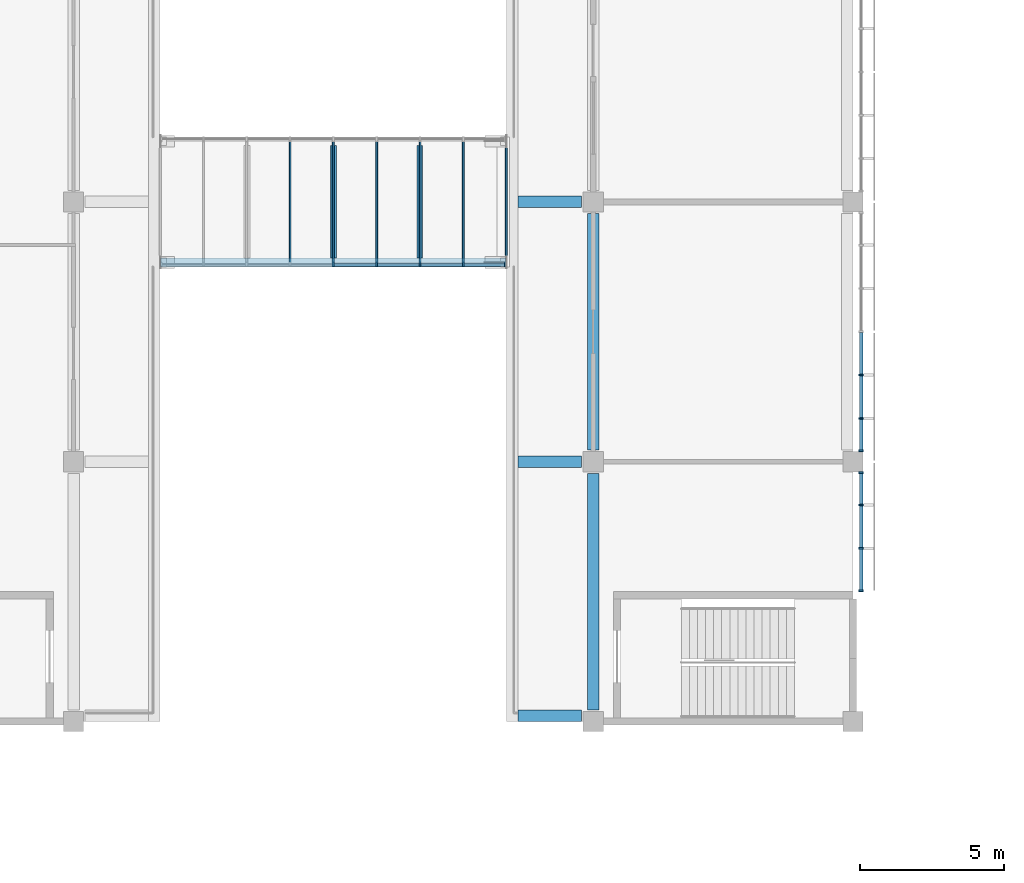
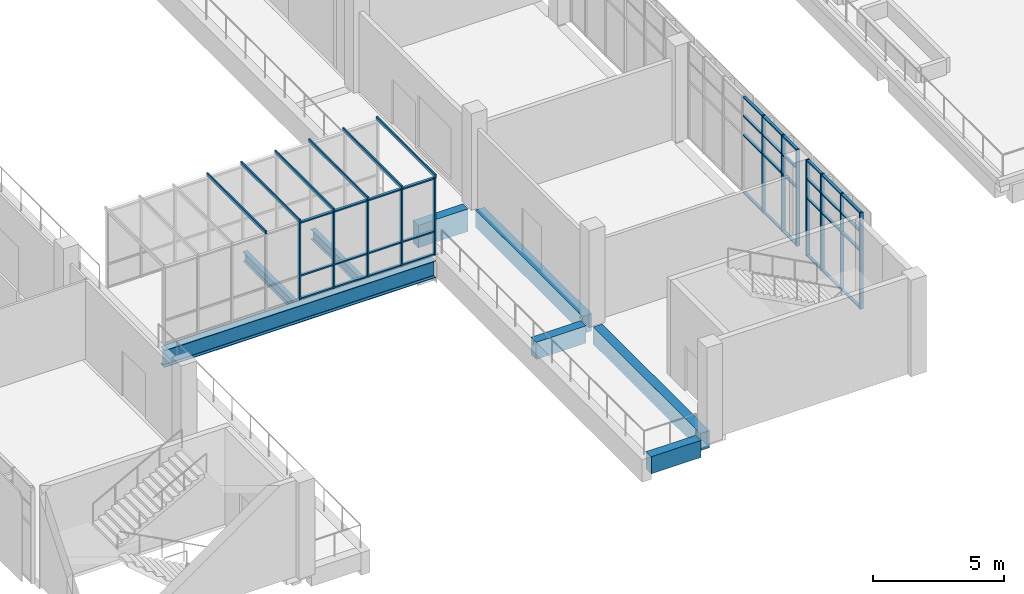
# One storey, part 11 of 106: 54 members, 8 beams, 4 elements without a shape of their own.
"""IFC4 building model written with IfcOpenShell, lengths in metres."""

import ifcopenshell
import ifcopenshell.guid

model = None  # the IFC model being written
_history = None  # IfcOwnerHistory: only IFC2X3 demands one
_inside = {}  # id of a spatial element -> (the spatial element, [elements in it])
_under = {}  # id of a project, library or spatial element -> (it, [spatial elements below it])
_declared = {}  # id of a project -> (the project, [libraries it declares])
_typed = {}  # id of a type object -> (the type object, [elements of that type])
_made_of = {}  # id of a material, layer set ... -> (it, [elements and type objects made of it])


def new_model(schema):
    """Start an empty IFC model of exactly this schema.

    Asked for "IFC4X3", IfcOpenShell would pick the latest addendum, in which some entities
    have other attributes; the version numbers below select the first issue.
    IFC2X3 requires an IfcOwnerHistory on every rooted entity: one is made here for all.
    """
    global model, _history
    if schema == "IFC4X3":
        model = ifcopenshell.file(schema_version=(4, 3, 0, 0))
    else:
        model = ifcopenshell.file(schema=schema)
    _inside.clear()
    _under.clear()
    _declared.clear()
    _typed.clear()
    _made_of.clear()
    _history = None
    if model.schema == "IFC2X3":
        org = make("IfcOrganization", Name="unknown")
        user = make(
            "IfcPersonAndOrganization",
            ThePerson=make("IfcPerson", FamilyName="unknown"),
            TheOrganization=org,
        )
        app = make(
            "IfcApplication",
            ApplicationDeveloper=org,
            Version="unknown",
            ApplicationFullName="unknown",
            ApplicationIdentifier="unknown",
        )
        _history = make(
            "IfcOwnerHistory",
            OwningUser=user,
            OwningApplication=app,
            ChangeAction="ADDED",
            CreationDate=0,
        )
    return model


def make(cls, **values):
    """One entity of the class cls with the attributes given. An attribute that is None is left unset."""
    return model.create_entity(
        cls, **{name: value for name, value in values.items() if value is not None}
    )


def rooted(cls, **values):
    """An entity with a GlobalId (a new one), such as an element, a storey or a relation."""
    return make(cls, GlobalId=ifcopenshell.guid.new(), OwnerHistory=_history, **values)


def si_unit(unit_type, name, prefix=None):
    """IfcSIUnit, for example si_unit("LENGTHUNIT", "METRE", prefix="MILLI")."""
    return make("IfcSIUnit", UnitType=unit_type, Prefix=prefix, Name=name)


def assignment(units):
    """IfcUnitAssignment: the units of a project."""
    return None if units is None else make("IfcUnitAssignment", Units=units)


def point(xyz):
    """IfcCartesianPoint."""
    return None if xyz is None else make("IfcCartesianPoint", Coordinates=xyz)


def direction(xyz):
    """IfcDirection."""
    return None if xyz is None else make("IfcDirection", DirectionRatios=xyz)


def frame(location, z_axis=None, x_axis=None):
    """IfcAxis2Placement3D, a coordinate frame: its origin and axes. An axis left out is left unset."""
    return make(
        "IfcAxis2Placement3D",
        Location=point(location),
        Axis=direction(z_axis),
        RefDirection=direction(x_axis),
    )


def frame_2d(location, x_axis=None):
    """IfcAxis2Placement2D, a coordinate frame in the plane: its origin and x axis."""
    return make(
        "IfcAxis2Placement2D", Location=point(location), RefDirection=direction(x_axis)
    )


def origin():
    """The frame at (0, 0, 0) with its axes left unset."""
    return frame((0.0, 0.0, 0.0))


def origin_2d():
    """The frame at (0, 0) in the plane with its x axis left unset."""
    return frame_2d((0.0, 0.0))


def place(relative_to, where):
    """IfcLocalPlacement: puts the frame where relative to a parent placement (None: the world)."""
    return make(
        "IfcLocalPlacement", PlacementRelTo=relative_to, RelativePlacement=where
    )


def context(
    kind, dimensions, precision=None, world=None, true_north=None, identifier=None
):
    """IfcGeometricRepresentationContext, for example the 3D "Model" context."""
    return make(
        "IfcGeometricRepresentationContext",
        ContextIdentifier=identifier,
        ContextType=kind,
        CoordinateSpaceDimension=dimensions,
        Precision=precision,
        WorldCoordinateSystem=world,
        TrueNorth=true_north,
    )


def subcontext(parent, identifier, kind, view, scale=None):
    """IfcGeometricRepresentationSubContext, for example "Body" below "Model"."""
    return make(
        "IfcGeometricRepresentationSubContext",
        ContextIdentifier=identifier,
        ContextType=kind,
        ParentContext=parent,
        TargetScale=scale,
        TargetView=view,
    )


def project(units=None, contexts=None):
    """IfcProject with its units and contexts."""
    return rooted(
        "IfcProject",
        Name="project",
        RepresentationContexts=contexts,
        UnitsInContext=assignment(units),
    )


def spatial(cls, under=None, at=None, **own):
    """A site, building, storey or space (cls), placed at a placement, below another one or the project."""
    s = rooted(cls, ObjectPlacement=at, **own)
    if under is not None:
        _under.setdefault(under.id(), (under, []))[1].append(s)
    return s


def profile(cls, at=None, kind="AREA", **sizes):
    """A parametric profile (cls). Its sizes go by their IFC names, for example OverallWidth=200.0."""
    return make(cls, ProfileType=kind, Position=at, **sizes)


def rectangle(**sizes):
    """IfcRectangleProfileDef."""
    return profile("IfcRectangleProfileDef", **sizes)


def i_section(**sizes):
    """IfcIShapeProfileDef."""
    return profile("IfcIShapeProfileDef", **sizes)


def extrude(swept, where, along, depth):
    """IfcExtrudedAreaSolid: the profile swept, set in the frame where, extruded along a direction by depth."""
    return make(
        "IfcExtrudedAreaSolid",
        SweptArea=swept,
        Position=where,
        ExtrudedDirection=direction(along),
        Depth=depth,
    )


def shape(context_of_items, identifier, shape_type, items):
    """IfcShapeRepresentation: the items that make up one representation, for example the "Body"."""
    return make(
        "IfcShapeRepresentation",
        ContextOfItems=context_of_items,
        RepresentationIdentifier=identifier,
        RepresentationType=shape_type,
        Items=items,
    )


def material(Name=None, Category=None):
    """IfcMaterial."""
    return make("IfcMaterial", Name=Name, Category=Category)


def layer(
    of_material, thickness, ventilated=None, Name=None, Category=None, Priority=None
):
    """IfcMaterialLayer: one layer of a wall or slab, of a material (None: an air gap)."""
    return make(
        "IfcMaterialLayer",
        Material=of_material,
        LayerThickness=thickness,
        IsVentilated=ventilated,
        Name=Name,
        Category=Category,
        Priority=Priority,
    )


def layer_set(layers, Name=None):
    """IfcMaterialLayerSet."""
    return make("IfcMaterialLayerSet", MaterialLayers=layers, LayerSetName=Name)


def material_profile(
    of_material, cross_section, Name=None, Category=None, Priority=None
):
    """IfcMaterialProfile: a cross section and its material."""
    return make(
        "IfcMaterialProfile",
        Name=Name,
        Material=of_material,
        Profile=cross_section,
        Priority=Priority,
        Category=Category,
    )


def profile_set(profiles, Name=None, composite=None):
    """IfcMaterialProfileSet."""
    return make(
        "IfcMaterialProfileSet",
        Name=Name,
        MaterialProfiles=profiles,
        CompositeProfile=composite,
    )


def made_of(thing, what):
    """Note that an element or type object is made of a material, layer set ...; save() writes the relation."""
    if what is not None:
        _made_of.setdefault(what.id(), (what, []))[1].append(thing)
    return thing


def type_object(cls, material=None, **own):
    """A type object (cls), such as IfcWallType, which elements share."""
    return made_of(rooted(cls, **own), material)


def element(
    cls,
    number,
    at=None,
    inside=None,
    cuts=None,
    type_object=None,
    material=None,
    context=None,
    identifier="Body",
    shape_type=None,
    held_by="IfcProductDefinitionShape",
    body=None,
    shapes=None,
    **own,
):
    """One element of the class cls, such as IfcWall. Its Tag is "e" and its number.

    at: its placement. inside: the storey or other place that contains it. cuts: it is an
    opening in that element (IfcRelVoidsElement). A single representation is given by context,
    identifier, shape_type and body (its items); several are given by shapes. held_by: the class
    of the entity that holds the representations. save() writes the other relations.
    """
    e = rooted(cls, Tag="e%d" % number, ObjectPlacement=at, **own)
    if body is not None:
        shapes = [shape(context, identifier, shape_type, body)]
    if shapes is not None:
        e.Representation = make(held_by, Representations=shapes)
    if inside is not None:
        _inside.setdefault(inside.id(), (inside, []))[1].append(e)
    if cuts is not None:
        rooted(
            "IfcRelVoidsElement", RelatingBuildingElement=cuts, RelatedOpeningElement=e
        )
    if type_object is not None:
        _typed.setdefault(type_object.id(), (type_object, []))[1].append(e)
    return made_of(e, material)


def aggregate(whole, parts):
    """IfcRelAggregates: a whole, such as a stair, and the parts it consists of."""
    return rooted("IfcRelAggregates", RelatingObject=whole, RelatedObjects=parts)


def save(model, path):
    """Write the relations noted so far, then the file.

    IfcRelAggregates (storeys below a building ...), IfcRelContainedInSpatialStructure (elements
    in a storey), IfcRelDefinesByType, IfcRelAssociatesMaterial and IfcRelDeclares: one each for
    every whole, place, type object, material and project.
    """
    for whole, parts in _under.values():
        aggregate(whole, parts)
    for where, things in _inside.values():
        rooted(
            "IfcRelContainedInSpatialStructure",
            RelatedElements=things,
            RelatingStructure=where,
        )
    for kind, things in _typed.values():
        rooted("IfcRelDefinesByType", RelatedObjects=things, RelatingType=kind)
    for what, things in _made_of.values():
        rooted("IfcRelAssociatesMaterial", RelatedObjects=things, RelatingMaterial=what)
    for by, libraries in _declared.values():
        rooted("IfcRelDeclares", RelatingContext=by, RelatedDefinitions=libraries)
    model.write(path)


model = new_model("IFC4")

# Units and contexts
model_context = context("Model", 3, precision=1e-05, world=origin(), true_north=direction((0.0, 1.0)))
body_context = subcontext(model_context, "Body", "Model", "MODEL_VIEW")
ifc_project = project(units=[si_unit("LENGTHUNIT", "METRE"), si_unit("AREAUNIT", "SQUARE_METRE"), si_unit("VOLUMEUNIT", "CUBIC_METRE"), si_unit("PLANEANGLEUNIT", "RADIAN"), si_unit("MASSUNIT", "GRAM", prefix="KILO")], contexts=[model_context])

# Site, building, storey
site_placement = place(None, origin())
site = spatial("IfcSite", under=ifc_project, at=site_placement, CompositionType="ELEMENT")
building_placement = place(site_placement, origin())
building = spatial("IfcBuilding", under=site, at=building_placement, Name="Guidao Yard Department Store", CompositionType="ELEMENT")
storey_placement = place(building_placement, frame((0.0, 0.0, 10.5)))
storey = spatial("IfcBuildingStorey", under=building, at=storey_placement, Name="L02", CompositionType="ELEMENT", Elevation=10.5)

# Beams
ifc_material_1 = material(Name="Concrete C40", Category="concrete")
ifc_material_profile_1 = material_profile(ifc_material_1, rectangle(XDim=0.39990234375, YDim=1.050048828125, at=origin_2d()), Name="Bridge landing beam 400 x 1050 C40")
ifc_profile_set_1 = profile_set([ifc_material_profile_1], Name="Concrete C40")
beam_type_1 = type_object("IfcBeamType", Name="Bridge landing beam 400 x 1050 C40", PredefinedType="BEAM", material=ifc_profile_set_1)
beam_1_placement = place(storey_placement, frame((96.39990234375, 63.0, -0.52490234375), z_axis=(1.0, 0.0, 0.0), x_axis=(0.0, 1.0, 0.0)))
element("IfcBeam", 1, at=beam_1_placement, inside=storey, type_object=beam_type_1, Name="Beam LB09", PredefinedType="BEAM", context=body_context, shape_type="SweptSolid", body=[
    extrude(rectangle(XDim=0.39990234375, YDim=1.050048828125, at=origin_2d()), origin(), (0.0, 0.0, 1.0), 2.2001953125),
])
ifc_material_2 = material(Name="Concrete C40", Category="concrete")
ifc_material_profile_2 = material_profile(ifc_material_2, rectangle(XDim=0.39990234375, YDim=0.800048828125, at=origin_2d()), Name="Edge beam 400 x 800 C40")
ifc_profile_set_2 = profile_set([ifc_material_profile_2], Name="Concrete C40")
beam_type_2 = type_object("IfcBeamType", Name="Edge beam 400 x 800 C40", PredefinedType="BEAM", material=ifc_profile_set_2)
for number, where, z_axis, x_axis, name in (
    (2, (99.0, 45.39990234375, -0.39990234375), (0.0, 1.0, 0.0), (-1.0, 0.0, 0.0), "Beam EB49"),
    (3, (99.0, 54.39990234375, -0.39990234375), (0.0, 1.0, 0.0), (-1.0, 0.0, 0.0), "Beam EB50"),
):
    element("IfcBeam", number, at=place(storey_placement, frame(where, z_axis=z_axis, x_axis=x_axis)), inside=storey, type_object=beam_type_2, Name=name, PredefinedType="BEAM", context=body_context, shape_type="SweptSolid", body=[
        extrude(rectangle(XDim=0.39990234375, YDim=0.800048828125, at=origin_2d()), origin(), (0.0, 0.0, 1.0), 8.2001953125),
    ])
for number, where, z_axis, x_axis, name in (
    (4, (96.39990234375, 45.199951171875, -0.39990234375), (1.0, 0.0, 0.0), (0.0, 1.0, 0.0), "Beam EB56"),
    (5, (96.39990234375, 54.0, -0.39990234375), (1.0, 0.0, 0.0), (0.0, 1.0, 0.0), "Beam EB57"),
):
    element("IfcBeam", number, at=place(storey_placement, frame(where, z_axis=z_axis, x_axis=x_axis)), inside=storey, type_object=beam_type_2, Name=name, PredefinedType="BEAM", context=body_context, shape_type="SweptSolid", body=[
        extrude(rectangle(XDim=0.39990234375, YDim=0.800048828125, at=origin_2d()), origin(), (0.0, 0.0, 1.0), 2.2001953125),
    ])
ifc_material_3 = material(Name="Steel Q355B", Category="steel")
ifc_material_profile_3 = material_profile(ifc_material_3, i_section(OverallWidth=0.199951171875, OverallDepth=0.449951171875, WebThickness=0.009033203125, FlangeThickness=0.013916015625, FilletRadius=0.012939453125, at=origin_2d()), Name="HN 450x200x9x14")
ifc_profile_set_3 = profile_set([ifc_material_profile_3], Name="Steel Q355B")
beam_type_3 = type_object("IfcBeamType", Name="HN 450x200x9x14", PredefinedType="BEAM", material=ifc_profile_set_3)
for number, where, z_axis, x_axis, name in (
    (6, (90.0, 61.050048828125, -0.47509765625), (0.0, 1.0, 0.0), (-1.0, 0.0, 0.0), "Bridge cross beam BR11-2"),
    (7, (92.992431640625, 61.050048828125, -0.47509765625), (0.0, 1.0, 0.0), (-1.0, 0.0, 0.0), "Bridge cross beam BR11-3"),
):
    element("IfcBeam", number, at=place(storey_placement, frame(where, z_axis=z_axis, x_axis=x_axis)), inside=storey, type_object=beam_type_3, Name=name, PredefinedType="BEAM", context=body_context, shape_type="SweptSolid", body=[
        extrude(i_section(OverallWidth=0.199951171875, OverallDepth=0.449951171875, WebThickness=0.009033203125, FlangeThickness=0.013916015625, FilletRadius=0.012939453125, at=origin_2d()), origin(), (0.0, 0.0, 1.0), 3.89990234375),
    ])
ifc_material_4 = material(Name="Steel Q355B", Category="steel")
ifc_material_profile_4 = material_profile(ifc_material_4, i_section(OverallWidth=0.300048828125, OverallDepth=0.800048828125, WebThickness=0.013916015625, FlangeThickness=0.02587890625, FilletRadius=0.01806640625, at=origin_2d()), Name="HN 800x300x14x26")
ifc_profile_set_4 = profile_set([ifc_material_profile_4], Name="Steel Q355B")
beam_type_4 = type_object("IfcBeamType", Name="HN 800x300x14x26", PredefinedType="BEAM", material=ifc_profile_set_4)
beam_2_placement = place(storey_placement, frame((84.014892578125, 60.89990234375, -0.64990234375), z_axis=(1.0, 0.0, 0.0), x_axis=(0.0, 1.0, 0.0)))
element("IfcBeam", 8, at=beam_2_placement, inside=storey, type_object=beam_type_4, Name="Bridge girder BR11S", PredefinedType="BEAM", context=body_context, shape_type="SweptSolid", body=[
    extrude(i_section(OverallWidth=0.300048828125, OverallDepth=0.800048828125, WebThickness=0.013916015625, FlangeThickness=0.02587890625, FilletRadius=0.01806640625, at=origin_2d()), origin(), (0.0, 0.0, 1.0), 11.97021484375),
])

# Curtain wall, members
ifc_material_5 = material(Name="Aluminium and glass", Category="aluminium")
ifc_layer_1 = layer(ifc_material_5, 0.159912109375)
ifc_layer_set_1 = layer_set([ifc_layer_1], Name="Shopfront curtain wall CW1 1500 module")
curtain_wall_type_1 = type_object("IfcCurtainWallType", Name="Shopfront curtain wall CW1 1500 module", PredefinedType="NOTDEFINED", material=ifc_layer_set_1)
curtain_wall_1_placement = place(storey_placement, origin())
curtain_wall_1 = element("IfcCurtainWall", 9, at=curtain_wall_1_placement, inside=storey, type_object=curtain_wall_type_1, Name="Arcade shop front", PredefinedType="NOTDEFINED")
ifc_material_6 = material(Name="Aluminium 6063-T5", Category="aluminium")
ifc_material_profile_5 = material_profile(ifc_material_6, rectangle(XDim=0.06005859375, YDim=0.159912109375, at=origin_2d()), Name="Mullion M1 60 x 160 aluminium pressure plate")
ifc_profile_set_5 = profile_set([ifc_material_profile_5], Name="Aluminium 6063-T5")
member_type_1 = type_object("IfcMemberType", Name="Mullion M1 60 x 160 aluminium pressure plate", PredefinedType="MULLION", material=ifc_profile_set_5)
member_1_placement = place(storey_placement, frame((108.280029296875, 49.530029296875, 0.0), z_axis=(0.0, 0.0, 1.0), x_axis=(0.0, -1.0, 0.0)))
member_1 = element("IfcMember", 10, at=member_1_placement, type_object=member_type_1, Name="CW-AS-L02-14 mullion 1", PredefinedType="MULLION", context=body_context, shape_type="SweptSolid", body=[
    extrude(rectangle(XDim=0.06005859375, YDim=0.159912109375, at=origin_2d()), origin(), (0.0, 0.0, 1.0), 4.5),
])
member_2_placement = place(storey_placement, frame((108.280029296875, 51.0, 0.0), z_axis=(0.0, 0.0, 1.0), x_axis=(0.0, -1.0, 0.0)))
member_2 = element("IfcMember", 11, at=member_2_placement, type_object=member_type_1, Name="CW-AS-L02-14 mullion 2", PredefinedType="MULLION", context=body_context, shape_type="SweptSolid", body=[
    extrude(rectangle(XDim=0.06005859375, YDim=0.159912109375, at=origin_2d()), origin(), (0.0, 0.0, 1.0), 4.5),
])
member_3_placement = place(storey_placement, frame((108.280029296875, 52.5, 0.0), z_axis=(0.0, 0.0, 1.0), x_axis=(0.0, -1.0, 0.0)))
member_3 = element("IfcMember", 12, at=member_3_placement, type_object=member_type_1, Name="CW-AS-L02-14 mullion 3", PredefinedType="MULLION", context=body_context, shape_type="SweptSolid", body=[
    extrude(rectangle(XDim=0.06005859375, YDim=0.159912109375, at=origin_2d()), origin(), (0.0, 0.0, 1.0), 4.5),
])
member_4_placement = place(storey_placement, frame((108.280029296875, 53.6201171875, 0.0), z_axis=(0.0, 0.0, 1.0), x_axis=(0.0, -1.0, 0.0)))
member_4 = element("IfcMember", 13, at=member_4_placement, type_object=member_type_1, Name="CW-AS-L02-14 mullion 4", PredefinedType="MULLION", context=body_context, shape_type="SweptSolid", body=[
    extrude(rectangle(XDim=0.06005859375, YDim=0.159912109375, at=origin_2d()), origin(), (0.0, 0.0, 1.0), 4.5),
])

curtain_wall_2_placement = place(storey_placement, origin())
curtain_wall_2 = element("IfcCurtainWall", 14, at=curtain_wall_2_placement, inside=storey, type_object=curtain_wall_type_1, Name="Arcade shop front", PredefinedType="NOTDEFINED")
member_5_placement = place(storey_placement, frame((108.280029296875, 54.3798828125, 0.0), z_axis=(0.0, 0.0, 1.0), x_axis=(0.0, -1.0, 0.0)))
member_5 = element("IfcMember", 15, at=member_5_placement, type_object=member_type_1, Name="CW-AS-L02-15 mullion 1", PredefinedType="MULLION", context=body_context, shape_type="SweptSolid", body=[
    extrude(rectangle(XDim=0.06005859375, YDim=0.159912109375, at=origin_2d()), origin(), (0.0, 0.0, 1.0), 4.5),
])
member_6_placement = place(storey_placement, frame((108.280029296875, 55.5, 0.0), z_axis=(0.0, 0.0, 1.0), x_axis=(0.0, -1.0, 0.0)))
member_6 = element("IfcMember", 16, at=member_6_placement, type_object=member_type_1, Name="CW-AS-L02-15 mullion 2", PredefinedType="MULLION", context=body_context, shape_type="SweptSolid", body=[
    extrude(rectangle(XDim=0.06005859375, YDim=0.159912109375, at=origin_2d()), origin(), (0.0, 0.0, 1.0), 4.5),
])
member_7_placement = place(storey_placement, frame((108.280029296875, 57.0, 0.0), z_axis=(0.0, 0.0, 1.0), x_axis=(0.0, -1.0, 0.0)))
member_7 = element("IfcMember", 17, at=member_7_placement, type_object=member_type_1, Name="CW-AS-L02-15 mullion 3", PredefinedType="MULLION", context=body_context, shape_type="SweptSolid", body=[
    extrude(rectangle(XDim=0.06005859375, YDim=0.159912109375, at=origin_2d()), origin(), (0.0, 0.0, 1.0), 4.5),
])

ifc_material_7 = material(Name="Aluminium and glass", Category="aluminium")
ifc_layer_2 = layer(ifc_material_7, 0.159912109375)
ifc_layer_set_2 = layer_set([ifc_layer_2], Name="Bridge glazing CW5 1500 module")
curtain_wall_type_2 = type_object("IfcCurtainWallType", Name="Bridge glazing CW5 1500 module", PredefinedType="NOTDEFINED", material=ifc_layer_set_2)
curtain_wall_3_placement = place(storey_placement, origin())
curtain_wall_3 = element("IfcCurtainWall", 18, at=curtain_wall_3_placement, inside=storey, type_object=curtain_wall_type_2, Name="Bridge glazing BR11 S", PredefinedType="NOTDEFINED")
member_8_placement = place(storey_placement, frame((90.0, 60.830078125, 0.0), z_axis=(0.0, 0.0, 1.0), x_axis=(-1.0, 0.0, 0.0)))
member_8 = element("IfcMember", 19, at=member_8_placement, type_object=member_type_1, Name="CW-S-L02-08 mullion 5", PredefinedType="MULLION", context=body_context, shape_type="SweptSolid", body=[
    extrude(rectangle(XDim=0.06005859375, YDim=0.159912109375, at=origin_2d()), origin(), (0.0, 0.0, 1.0), 3.60009765625),
])
member_9_placement = place(storey_placement, frame((91.5, 60.830078125, 0.0), z_axis=(0.0, 0.0, 1.0), x_axis=(-1.0, 0.0, 0.0)))
member_9 = element("IfcMember", 20, at=member_9_placement, type_object=member_type_1, Name="CW-S-L02-08 mullion 6", PredefinedType="MULLION", context=body_context, shape_type="SweptSolid", body=[
    extrude(rectangle(XDim=0.06005859375, YDim=0.159912109375, at=origin_2d()), origin(), (0.0, 0.0, 1.0), 3.60009765625),
])
member_10_placement = place(storey_placement, frame((93.0, 60.830078125, 0.0), z_axis=(0.0, 0.0, 1.0), x_axis=(-1.0, 0.0, 0.0)))
member_10 = element("IfcMember", 21, at=member_10_placement, type_object=member_type_1, Name="CW-S-L02-08 mullion 7", PredefinedType="MULLION", context=body_context, shape_type="SweptSolid", body=[
    extrude(rectangle(XDim=0.06005859375, YDim=0.159912109375, at=origin_2d()), origin(), (0.0, 0.0, 1.0), 3.60009765625),
])
member_11_placement = place(storey_placement, frame((94.5, 60.830078125, 0.0), z_axis=(0.0, 0.0, 1.0), x_axis=(-1.0, 0.0, 0.0)))
member_11 = element("IfcMember", 22, at=member_11_placement, type_object=member_type_1, Name="CW-S-L02-08 mullion 8", PredefinedType="MULLION", context=body_context, shape_type="SweptSolid", body=[
    extrude(rectangle(XDim=0.06005859375, YDim=0.159912109375, at=origin_2d()), origin(), (0.0, 0.0, 1.0), 3.60009765625),
])
member_12_placement = place(storey_placement, frame((95.955078125, 60.830078125, 0.0), z_axis=(0.0, 0.0, 1.0), x_axis=(-1.0, 0.0, 0.0)))
member_12 = element("IfcMember", 23, at=member_12_placement, type_object=member_type_1, Name="CW-S-L02-08 mullion 9", PredefinedType="MULLION", context=body_context, shape_type="SweptSolid", body=[
    extrude(rectangle(XDim=0.06005859375, YDim=0.159912109375, at=origin_2d()), origin(), (0.0, 0.0, 1.0), 3.60009765625),
])

curtain_wall_4_placement = place(storey_placement, origin())
curtain_wall_4 = element("IfcCurtainWall", 24, at=curtain_wall_4_placement, inside=storey, type_object=curtain_wall_type_2, Name="Bridge roof glazing BR11", PredefinedType="NOTDEFINED")
ifc_material_8 = material(Name="Aluminium 6063-T5", Category="aluminium")
ifc_material_profile_6 = material_profile(ifc_material_8, rectangle(XDim=0.06005859375, YDim=0.159912109375, at=origin_2d()), Name="Roof bar RB1 60 x 160 aluminium")
ifc_profile_set_6 = profile_set([ifc_material_profile_6], Name="Aluminium 6063-T5")
member_type_2 = type_object("IfcMemberType", Name="Roof bar RB1 60 x 160 aluminium", PredefinedType="USERDEFINED", material=ifc_profile_set_6)
member_13_placement = place(storey_placement, frame((88.5, 60.75, 3.679931640625), z_axis=(0.0, 1.0, 0.0), x_axis=(-1.0, 0.0, 0.0)))
member_13 = element("IfcMember", 25, at=member_13_placement, type_object=member_type_2, Name="Bridge roof bar BR11", ObjectType="TRANSOM", PredefinedType="USERDEFINED", context=body_context, shape_type="SweptSolid", body=[
    extrude(rectangle(XDim=0.06005859375, YDim=0.159912109375, at=origin_2d()), origin(), (0.0, 0.0, 1.0), 4.5),
])
member_14_placement = place(storey_placement, frame((90.0, 60.75, 3.679931640625), z_axis=(0.0, 1.0, 0.0), x_axis=(-1.0, 0.0, 0.0)))
member_14 = element("IfcMember", 26, at=member_14_placement, type_object=member_type_2, Name="Bridge roof bar BR11", ObjectType="TRANSOM", PredefinedType="USERDEFINED", context=body_context, shape_type="SweptSolid", body=[
    extrude(rectangle(XDim=0.06005859375, YDim=0.159912109375, at=origin_2d()), origin(), (0.0, 0.0, 1.0), 4.5),
])
member_15_placement = place(storey_placement, frame((91.5, 60.75, 3.679931640625), z_axis=(0.0, 1.0, 0.0), x_axis=(-1.0, 0.0, 0.0)))
member_15 = element("IfcMember", 27, at=member_15_placement, type_object=member_type_2, Name="Bridge roof bar BR11", ObjectType="TRANSOM", PredefinedType="USERDEFINED", context=body_context, shape_type="SweptSolid", body=[
    extrude(rectangle(XDim=0.06005859375, YDim=0.159912109375, at=origin_2d()), origin(), (0.0, 0.0, 1.0), 4.5),
])
member_16_placement = place(storey_placement, frame((93.0, 60.75, 3.679931640625), z_axis=(0.0, 1.0, 0.0), x_axis=(-1.0, 0.0, 0.0)))
member_16 = element("IfcMember", 28, at=member_16_placement, type_object=member_type_2, Name="Bridge roof bar BR11", ObjectType="TRANSOM", PredefinedType="USERDEFINED", context=body_context, shape_type="SweptSolid", body=[
    extrude(rectangle(XDim=0.06005859375, YDim=0.159912109375, at=origin_2d()), origin(), (0.0, 0.0, 1.0), 4.5),
])
member_17_placement = place(storey_placement, frame((94.5, 60.75, 3.679931640625), z_axis=(0.0, 1.0, 0.0), x_axis=(-1.0, 0.0, 0.0)))
member_17 = element("IfcMember", 29, at=member_17_placement, type_object=member_type_2, Name="Bridge roof bar BR11", ObjectType="TRANSOM", PredefinedType="USERDEFINED", context=body_context, shape_type="SweptSolid", body=[
    extrude(rectangle(XDim=0.06005859375, YDim=0.159912109375, at=origin_2d()), origin(), (0.0, 0.0, 1.0), 4.5),
])
member_18_placement = place(storey_placement, frame((95.985107421875, 60.75, 3.679931640625), z_axis=(0.0, 1.0, 0.0), x_axis=(-1.0, 0.0, 0.0)))
member_18 = element("IfcMember", 30, at=member_18_placement, type_object=member_type_2, Name="Bridge roof bar BR11", ObjectType="TRANSOM", PredefinedType="USERDEFINED", context=body_context, shape_type="SweptSolid", body=[
    extrude(rectangle(XDim=0.06005859375, YDim=0.159912109375, at=origin_2d()), origin(), (0.0, 0.0, 1.0), 4.5),
])
aggregate(curtain_wall_4, [member_13, member_14, member_15, member_16, member_17, member_18])

# Member
ifc_material_9 = material(Name="Aluminium 6063-T5", Category="aluminium")
ifc_material_profile_7 = material_profile(ifc_material_9, rectangle(XDim=0.1201171875, YDim=0.06005859375, at=origin_2d()), Name="Transom T1 60 x 120 aluminium pressure plate")
ifc_profile_set_7 = profile_set([ifc_material_profile_7], Name="Aluminium 6063-T5")
member_type_3 = type_object("IfcMemberType", Name="Transom T1 60 x 120 aluminium pressure plate", PredefinedType="USERDEFINED", material=ifc_profile_set_7)
member_19_placement = place(storey_placement, frame((108.280029296875, 50.969970703125, 0.030029296875), z_axis=(0.0, -1.0, 0.0), x_axis=(1.0, 0.0, 0.0)))
member_19 = element("IfcMember", 31, at=member_19_placement, type_object=member_type_3, Name="CW-AS-L02-14 transom 1.1", ObjectType="TRANSOM", PredefinedType="USERDEFINED", context=body_context, shape_type="SweptSolid", body=[
    extrude(rectangle(XDim=0.1201171875, YDim=0.06005859375, at=origin_2d()), origin(), (0.0, 0.0, 1.0), 1.409912109375),
])

member_20_placement = place(storey_placement, frame((108.280029296875, 50.969970703125, 2.699951171875), z_axis=(0.0, -1.0, 0.0), x_axis=(1.0, 0.0, 0.0)))
member_20 = element("IfcMember", 32, at=member_20_placement, type_object=member_type_3, Name="CW-AS-L02-14 transom 1.2", ObjectType="TRANSOM", PredefinedType="USERDEFINED", context=body_context, shape_type="SweptSolid", body=[
    extrude(rectangle(XDim=0.1201171875, YDim=0.06005859375, at=origin_2d()), origin(), (0.0, 0.0, 1.0), 1.409912109375),
])

member_21_placement = place(storey_placement, frame((108.280029296875, 50.969970703125, 3.60009765625), z_axis=(0.0, -1.0, 0.0), x_axis=(1.0, 0.0, 0.0)))
member_21 = element("IfcMember", 33, at=member_21_placement, type_object=member_type_3, Name="CW-AS-L02-14 transom 1.3", ObjectType="TRANSOM", PredefinedType="USERDEFINED", context=body_context, shape_type="SweptSolid", body=[
    extrude(rectangle(XDim=0.1201171875, YDim=0.06005859375, at=origin_2d()), origin(), (0.0, 0.0, 1.0), 1.409912109375),
])

member_22_placement = place(storey_placement, frame((108.280029296875, 50.969970703125, 4.469970703125), z_axis=(0.0, -1.0, 0.0), x_axis=(1.0, 0.0, 0.0)))
member_22 = element("IfcMember", 34, at=member_22_placement, type_object=member_type_3, Name="CW-AS-L02-14 transom 1.4", ObjectType="TRANSOM", PredefinedType="USERDEFINED", context=body_context, shape_type="SweptSolid", body=[
    extrude(rectangle(XDim=0.1201171875, YDim=0.06005859375, at=origin_2d()), origin(), (0.0, 0.0, 1.0), 1.409912109375),
])

member_23_placement = place(storey_placement, frame((108.280029296875, 52.469970703125, 0.030029296875), z_axis=(0.0, -1.0, 0.0), x_axis=(1.0, 0.0, 0.0)))
member_23 = element("IfcMember", 35, at=member_23_placement, type_object=member_type_3, Name="CW-AS-L02-14 transom 2.1", ObjectType="TRANSOM", PredefinedType="USERDEFINED", context=body_context, shape_type="SweptSolid", body=[
    extrude(rectangle(XDim=0.1201171875, YDim=0.06005859375, at=origin_2d()), origin(), (0.0, 0.0, 1.0), 1.43994140625),
])

member_24_placement = place(storey_placement, frame((108.280029296875, 52.469970703125, 2.699951171875), z_axis=(0.0, -1.0, 0.0), x_axis=(1.0, 0.0, 0.0)))
member_24 = element("IfcMember", 36, at=member_24_placement, type_object=member_type_3, Name="CW-AS-L02-14 transom 2.2", ObjectType="TRANSOM", PredefinedType="USERDEFINED", context=body_context, shape_type="SweptSolid", body=[
    extrude(rectangle(XDim=0.1201171875, YDim=0.06005859375, at=origin_2d()), origin(), (0.0, 0.0, 1.0), 1.43994140625),
])

member_25_placement = place(storey_placement, frame((108.280029296875, 52.469970703125, 3.60009765625), z_axis=(0.0, -1.0, 0.0), x_axis=(1.0, 0.0, 0.0)))
member_25 = element("IfcMember", 37, at=member_25_placement, type_object=member_type_3, Name="CW-AS-L02-14 transom 2.3", ObjectType="TRANSOM", PredefinedType="USERDEFINED", context=body_context, shape_type="SweptSolid", body=[
    extrude(rectangle(XDim=0.1201171875, YDim=0.06005859375, at=origin_2d()), origin(), (0.0, 0.0, 1.0), 1.43994140625),
])

member_26_placement = place(storey_placement, frame((108.280029296875, 52.469970703125, 4.469970703125), z_axis=(0.0, -1.0, 0.0), x_axis=(1.0, 0.0, 0.0)))
member_26 = element("IfcMember", 38, at=member_26_placement, type_object=member_type_3, Name="CW-AS-L02-14 transom 2.4", ObjectType="TRANSOM", PredefinedType="USERDEFINED", context=body_context, shape_type="SweptSolid", body=[
    extrude(rectangle(XDim=0.1201171875, YDim=0.06005859375, at=origin_2d()), origin(), (0.0, 0.0, 1.0), 1.43994140625),
])

member_27_placement = place(storey_placement, frame((108.280029296875, 53.590087890625, 0.030029296875), z_axis=(0.0, -1.0, 0.0), x_axis=(1.0, 0.0, 0.0)))
member_27 = element("IfcMember", 39, at=member_27_placement, type_object=member_type_3, Name="CW-AS-L02-14 transom 3.1", ObjectType="TRANSOM", PredefinedType="USERDEFINED", context=body_context, shape_type="SweptSolid", body=[
    extrude(rectangle(XDim=0.1201171875, YDim=0.06005859375, at=origin_2d()), origin(), (0.0, 0.0, 1.0), 1.06005859375),
])

member_28_placement = place(storey_placement, frame((108.280029296875, 53.590087890625, 2.699951171875), z_axis=(0.0, -1.0, 0.0), x_axis=(1.0, 0.0, 0.0)))
member_28 = element("IfcMember", 40, at=member_28_placement, type_object=member_type_3, Name="CW-AS-L02-14 transom 3.2", ObjectType="TRANSOM", PredefinedType="USERDEFINED", context=body_context, shape_type="SweptSolid", body=[
    extrude(rectangle(XDim=0.1201171875, YDim=0.06005859375, at=origin_2d()), origin(), (0.0, 0.0, 1.0), 1.06005859375),
])

member_29_placement = place(storey_placement, frame((108.280029296875, 53.590087890625, 3.60009765625), z_axis=(0.0, -1.0, 0.0), x_axis=(1.0, 0.0, 0.0)))
member_29 = element("IfcMember", 41, at=member_29_placement, type_object=member_type_3, Name="CW-AS-L02-14 transom 3.3", ObjectType="TRANSOM", PredefinedType="USERDEFINED", context=body_context, shape_type="SweptSolid", body=[
    extrude(rectangle(XDim=0.1201171875, YDim=0.06005859375, at=origin_2d()), origin(), (0.0, 0.0, 1.0), 1.06005859375),
])

member_30_placement = place(storey_placement, frame((108.280029296875, 53.590087890625, 4.469970703125), z_axis=(0.0, -1.0, 0.0), x_axis=(1.0, 0.0, 0.0)))
member_30 = element("IfcMember", 42, at=member_30_placement, type_object=member_type_3, Name="CW-AS-L02-14 transom 3.4", ObjectType="TRANSOM", PredefinedType="USERDEFINED", context=body_context, shape_type="SweptSolid", body=[
    extrude(rectangle(XDim=0.1201171875, YDim=0.06005859375, at=origin_2d()), origin(), (0.0, 0.0, 1.0), 1.06005859375),
])

aggregate(curtain_wall_1, [member_1, member_2, member_3, member_4, member_19, member_20, member_21, member_22, member_23, member_24, member_25, member_26, member_27, member_28, member_29, member_30])

member_31_placement = place(storey_placement, frame((108.280029296875, 55.469970703125, 0.030029296875), z_axis=(0.0, -1.0, 0.0), x_axis=(1.0, 0.0, 0.0)))
member_31 = element("IfcMember", 43, at=member_31_placement, type_object=member_type_3, Name="CW-AS-L02-15 transom 1.1", ObjectType="TRANSOM", PredefinedType="USERDEFINED", context=body_context, shape_type="SweptSolid", body=[
    extrude(rectangle(XDim=0.1201171875, YDim=0.06005859375, at=origin_2d()), origin(), (0.0, 0.0, 1.0), 1.06005859375),
])

member_32_placement = place(storey_placement, frame((108.280029296875, 55.469970703125, 2.699951171875), z_axis=(0.0, -1.0, 0.0), x_axis=(1.0, 0.0, 0.0)))
member_32 = element("IfcMember", 44, at=member_32_placement, type_object=member_type_3, Name="CW-AS-L02-15 transom 1.2", ObjectType="TRANSOM", PredefinedType="USERDEFINED", context=body_context, shape_type="SweptSolid", body=[
    extrude(rectangle(XDim=0.1201171875, YDim=0.06005859375, at=origin_2d()), origin(), (0.0, 0.0, 1.0), 1.06005859375),
])

member_33_placement = place(storey_placement, frame((108.280029296875, 55.469970703125, 3.60009765625), z_axis=(0.0, -1.0, 0.0), x_axis=(1.0, 0.0, 0.0)))
member_33 = element("IfcMember", 45, at=member_33_placement, type_object=member_type_3, Name="CW-AS-L02-15 transom 1.3", ObjectType="TRANSOM", PredefinedType="USERDEFINED", context=body_context, shape_type="SweptSolid", body=[
    extrude(rectangle(XDim=0.1201171875, YDim=0.06005859375, at=origin_2d()), origin(), (0.0, 0.0, 1.0), 1.06005859375),
])

member_34_placement = place(storey_placement, frame((108.280029296875, 55.469970703125, 4.469970703125), z_axis=(0.0, -1.0, 0.0), x_axis=(1.0, 0.0, 0.0)))
member_34 = element("IfcMember", 46, at=member_34_placement, type_object=member_type_3, Name="CW-AS-L02-15 transom 1.4", ObjectType="TRANSOM", PredefinedType="USERDEFINED", context=body_context, shape_type="SweptSolid", body=[
    extrude(rectangle(XDim=0.1201171875, YDim=0.06005859375, at=origin_2d()), origin(), (0.0, 0.0, 1.0), 1.06005859375),
])

member_35_placement = place(storey_placement, frame((108.280029296875, 56.969970703125, 0.030029296875), z_axis=(0.0, -1.0, 0.0), x_axis=(1.0, 0.0, 0.0)))
member_35 = element("IfcMember", 47, at=member_35_placement, type_object=member_type_3, Name="CW-AS-L02-15 transom 2.1", ObjectType="TRANSOM", PredefinedType="USERDEFINED", context=body_context, shape_type="SweptSolid", body=[
    extrude(rectangle(XDim=0.1201171875, YDim=0.06005859375, at=origin_2d()), origin(), (0.0, 0.0, 1.0), 1.43994140625),
])

member_36_placement = place(storey_placement, frame((108.280029296875, 56.969970703125, 2.699951171875), z_axis=(0.0, -1.0, 0.0), x_axis=(1.0, 0.0, 0.0)))
member_36 = element("IfcMember", 48, at=member_36_placement, type_object=member_type_3, Name="CW-AS-L02-15 transom 2.2", ObjectType="TRANSOM", PredefinedType="USERDEFINED", context=body_context, shape_type="SweptSolid", body=[
    extrude(rectangle(XDim=0.1201171875, YDim=0.06005859375, at=origin_2d()), origin(), (0.0, 0.0, 1.0), 1.43994140625),
])

member_37_placement = place(storey_placement, frame((108.280029296875, 56.969970703125, 3.60009765625), z_axis=(0.0, -1.0, 0.0), x_axis=(1.0, 0.0, 0.0)))
member_37 = element("IfcMember", 49, at=member_37_placement, type_object=member_type_3, Name="CW-AS-L02-15 transom 2.3", ObjectType="TRANSOM", PredefinedType="USERDEFINED", context=body_context, shape_type="SweptSolid", body=[
    extrude(rectangle(XDim=0.1201171875, YDim=0.06005859375, at=origin_2d()), origin(), (0.0, 0.0, 1.0), 1.43994140625),
])

member_38_placement = place(storey_placement, frame((108.280029296875, 56.969970703125, 4.469970703125), z_axis=(0.0, -1.0, 0.0), x_axis=(1.0, 0.0, 0.0)))
member_38 = element("IfcMember", 50, at=member_38_placement, type_object=member_type_3, Name="CW-AS-L02-15 transom 2.4", ObjectType="TRANSOM", PredefinedType="USERDEFINED", context=body_context, shape_type="SweptSolid", body=[
    extrude(rectangle(XDim=0.1201171875, YDim=0.06005859375, at=origin_2d()), origin(), (0.0, 0.0, 1.0), 1.43994140625),
])

member_39_placement = place(storey_placement, frame((108.280029296875, 58.469970703125, 0.030029296875), z_axis=(0.0, -1.0, 0.0), x_axis=(1.0, 0.0, 0.0)))
member_39 = element("IfcMember", 51, at=member_39_placement, type_object=member_type_3, Name="CW-AS-L02-15 transom 3.1", ObjectType="TRANSOM", PredefinedType="USERDEFINED", context=body_context, shape_type="SweptSolid", body=[
    extrude(rectangle(XDim=0.1201171875, YDim=0.06005859375, at=origin_2d()), origin(), (0.0, 0.0, 1.0), 1.43994140625),
])

member_40_placement = place(storey_placement, frame((108.280029296875, 58.469970703125, 2.699951171875), z_axis=(0.0, -1.0, 0.0), x_axis=(1.0, 0.0, 0.0)))
member_40 = element("IfcMember", 52, at=member_40_placement, type_object=member_type_3, Name="CW-AS-L02-15 transom 3.2", ObjectType="TRANSOM", PredefinedType="USERDEFINED", context=body_context, shape_type="SweptSolid", body=[
    extrude(rectangle(XDim=0.1201171875, YDim=0.06005859375, at=origin_2d()), origin(), (0.0, 0.0, 1.0), 1.43994140625),
])

member_41_placement = place(storey_placement, frame((108.280029296875, 58.469970703125, 3.60009765625), z_axis=(0.0, -1.0, 0.0), x_axis=(1.0, 0.0, 0.0)))
member_41 = element("IfcMember", 53, at=member_41_placement, type_object=member_type_3, Name="CW-AS-L02-15 transom 3.3", ObjectType="TRANSOM", PredefinedType="USERDEFINED", context=body_context, shape_type="SweptSolid", body=[
    extrude(rectangle(XDim=0.1201171875, YDim=0.06005859375, at=origin_2d()), origin(), (0.0, 0.0, 1.0), 1.43994140625),
])

member_42_placement = place(storey_placement, frame((108.280029296875, 58.469970703125, 4.469970703125), z_axis=(0.0, -1.0, 0.0), x_axis=(1.0, 0.0, 0.0)))
member_42 = element("IfcMember", 54, at=member_42_placement, type_object=member_type_3, Name="CW-AS-L02-15 transom 3.4", ObjectType="TRANSOM", PredefinedType="USERDEFINED", context=body_context, shape_type="SweptSolid", body=[
    extrude(rectangle(XDim=0.1201171875, YDim=0.06005859375, at=origin_2d()), origin(), (0.0, 0.0, 1.0), 1.43994140625),
])

aggregate(curtain_wall_2, [member_5, member_6, member_7, member_31, member_32, member_33, member_34, member_35, member_36, member_37, member_38, member_39, member_40, member_41, member_42])

member_43_placement = place(storey_placement, frame((91.469970703125, 60.830078125, 0.030029296875), z_axis=(-1.0, 0.0, 0.0), x_axis=(0.0, -1.0, 0.0)))
member_43 = element("IfcMember", 55, at=member_43_placement, type_object=member_type_3, Name="CW-S-L02-08 transom 5.1", ObjectType="TRANSOM", PredefinedType="USERDEFINED", context=body_context, shape_type="SweptSolid", body=[
    extrude(rectangle(XDim=0.1201171875, YDim=0.06005859375, at=origin_2d()), origin(), (0.0, 0.0, 1.0), 1.43994140625),
])

member_44_placement = place(storey_placement, frame((91.469970703125, 60.830078125, 1.10009765625), z_axis=(-1.0, 0.0, 0.0), x_axis=(0.0, -1.0, 0.0)))
member_44 = element("IfcMember", 56, at=member_44_placement, type_object=member_type_3, Name="CW-S-L02-08 transom 5.2", ObjectType="TRANSOM", PredefinedType="USERDEFINED", context=body_context, shape_type="SweptSolid", body=[
    extrude(rectangle(XDim=0.1201171875, YDim=0.06005859375, at=origin_2d()), origin(), (0.0, 0.0, 1.0), 1.43994140625),
])

member_45_placement = place(storey_placement, frame((91.469970703125, 60.830078125, 3.570068359375), z_axis=(-1.0, 0.0, 0.0), x_axis=(0.0, -1.0, 0.0)))
member_45 = element("IfcMember", 57, at=member_45_placement, type_object=member_type_3, Name="CW-S-L02-08 transom 5.3", ObjectType="TRANSOM", PredefinedType="USERDEFINED", context=body_context, shape_type="SweptSolid", body=[
    extrude(rectangle(XDim=0.1201171875, YDim=0.06005859375, at=origin_2d()), origin(), (0.0, 0.0, 1.0), 1.43994140625),
])

member_46_placement = place(storey_placement, frame((92.969970703125, 60.830078125, 0.030029296875), z_axis=(-1.0, 0.0, 0.0), x_axis=(0.0, -1.0, 0.0)))
member_46 = element("IfcMember", 58, at=member_46_placement, type_object=member_type_3, Name="CW-S-L02-08 transom 6.1", ObjectType="TRANSOM", PredefinedType="USERDEFINED", context=body_context, shape_type="SweptSolid", body=[
    extrude(rectangle(XDim=0.1201171875, YDim=0.06005859375, at=origin_2d()), origin(), (0.0, 0.0, 1.0), 1.43994140625),
])

member_47_placement = place(storey_placement, frame((92.969970703125, 60.830078125, 1.10009765625), z_axis=(-1.0, 0.0, 0.0), x_axis=(0.0, -1.0, 0.0)))
member_47 = element("IfcMember", 59, at=member_47_placement, type_object=member_type_3, Name="CW-S-L02-08 transom 6.2", ObjectType="TRANSOM", PredefinedType="USERDEFINED", context=body_context, shape_type="SweptSolid", body=[
    extrude(rectangle(XDim=0.1201171875, YDim=0.06005859375, at=origin_2d()), origin(), (0.0, 0.0, 1.0), 1.43994140625),
])

member_48_placement = place(storey_placement, frame((92.969970703125, 60.830078125, 3.570068359375), z_axis=(-1.0, 0.0, 0.0), x_axis=(0.0, -1.0, 0.0)))
member_48 = element("IfcMember", 60, at=member_48_placement, type_object=member_type_3, Name="CW-S-L02-08 transom 6.3", ObjectType="TRANSOM", PredefinedType="USERDEFINED", context=body_context, shape_type="SweptSolid", body=[
    extrude(rectangle(XDim=0.1201171875, YDim=0.06005859375, at=origin_2d()), origin(), (0.0, 0.0, 1.0), 1.43994140625),
])

member_49_placement = place(storey_placement, frame((94.469970703125, 60.830078125, 0.030029296875), z_axis=(-1.0, 0.0, 0.0), x_axis=(0.0, -1.0, 0.0)))
member_49 = element("IfcMember", 61, at=member_49_placement, type_object=member_type_3, Name="CW-S-L02-08 transom 7.1", ObjectType="TRANSOM", PredefinedType="USERDEFINED", context=body_context, shape_type="SweptSolid", body=[
    extrude(rectangle(XDim=0.1201171875, YDim=0.06005859375, at=origin_2d()), origin(), (0.0, 0.0, 1.0), 1.43994140625),
])

member_50_placement = place(storey_placement, frame((94.469970703125, 60.830078125, 1.10009765625), z_axis=(-1.0, 0.0, 0.0), x_axis=(0.0, -1.0, 0.0)))
member_50 = element("IfcMember", 62, at=member_50_placement, type_object=member_type_3, Name="CW-S-L02-08 transom 7.2", ObjectType="TRANSOM", PredefinedType="USERDEFINED", context=body_context, shape_type="SweptSolid", body=[
    extrude(rectangle(XDim=0.1201171875, YDim=0.06005859375, at=origin_2d()), origin(), (0.0, 0.0, 1.0), 1.43994140625),
])

member_51_placement = place(storey_placement, frame((94.469970703125, 60.830078125, 3.570068359375), z_axis=(-1.0, 0.0, 0.0), x_axis=(0.0, -1.0, 0.0)))
member_51 = element("IfcMember", 63, at=member_51_placement, type_object=member_type_3, Name="CW-S-L02-08 transom 7.3", ObjectType="TRANSOM", PredefinedType="USERDEFINED", context=body_context, shape_type="SweptSolid", body=[
    extrude(rectangle(XDim=0.1201171875, YDim=0.06005859375, at=origin_2d()), origin(), (0.0, 0.0, 1.0), 1.43994140625),
])

member_52_placement = place(storey_placement, frame((95.925048828125, 60.830078125, 0.030029296875), z_axis=(-1.0, 0.0, 0.0), x_axis=(0.0, -1.0, 0.0)))
member_52 = element("IfcMember", 64, at=member_52_placement, type_object=member_type_3, Name="CW-S-L02-08 transom 8.1", ObjectType="TRANSOM", PredefinedType="USERDEFINED", context=body_context, shape_type="SweptSolid", body=[
    extrude(rectangle(XDim=0.1201171875, YDim=0.06005859375, at=origin_2d()), origin(), (0.0, 0.0, 1.0), 1.39501953125),
])

member_53_placement = place(storey_placement, frame((95.925048828125, 60.830078125, 1.10009765625), z_axis=(-1.0, 0.0, 0.0), x_axis=(0.0, -1.0, 0.0)))
member_53 = element("IfcMember", 65, at=member_53_placement, type_object=member_type_3, Name="CW-S-L02-08 transom 8.2", ObjectType="TRANSOM", PredefinedType="USERDEFINED", context=body_context, shape_type="SweptSolid", body=[
    extrude(rectangle(XDim=0.1201171875, YDim=0.06005859375, at=origin_2d()), origin(), (0.0, 0.0, 1.0), 1.39501953125),
])

member_54_placement = place(storey_placement, frame((95.925048828125, 60.830078125, 3.570068359375), z_axis=(-1.0, 0.0, 0.0), x_axis=(0.0, -1.0, 0.0)))
member_54 = element("IfcMember", 66, at=member_54_placement, type_object=member_type_3, Name="CW-S-L02-08 transom 8.3", ObjectType="TRANSOM", PredefinedType="USERDEFINED", context=body_context, shape_type="SweptSolid", body=[
    extrude(rectangle(XDim=0.1201171875, YDim=0.06005859375, at=origin_2d()), origin(), (0.0, 0.0, 1.0), 1.39501953125),
])

aggregate(curtain_wall_3, [member_8, member_9, member_10, member_11, member_12, member_43, member_44, member_45, member_46, member_47, member_48, member_49, member_50, member_51, member_52, member_53, member_54])

save(model, "model.ifc")
